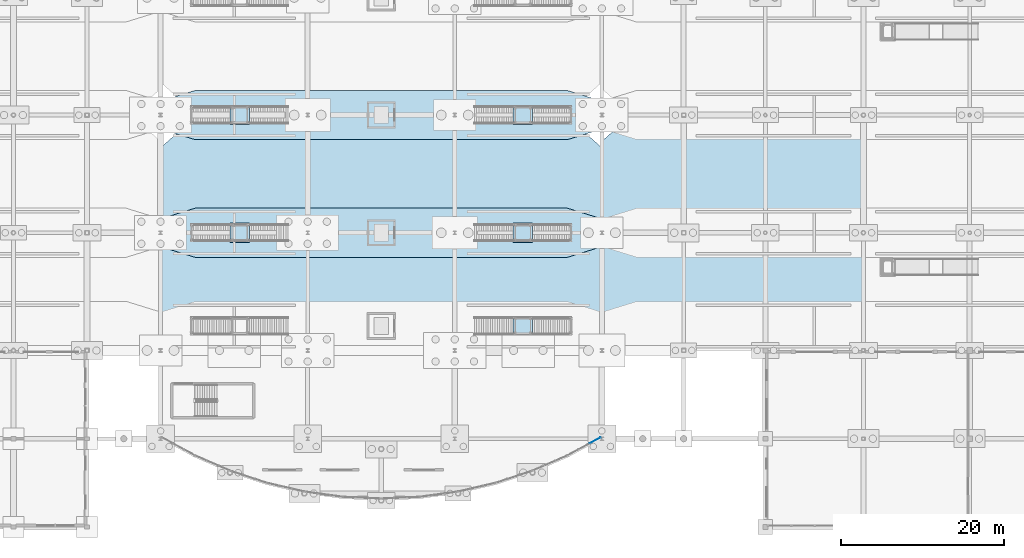
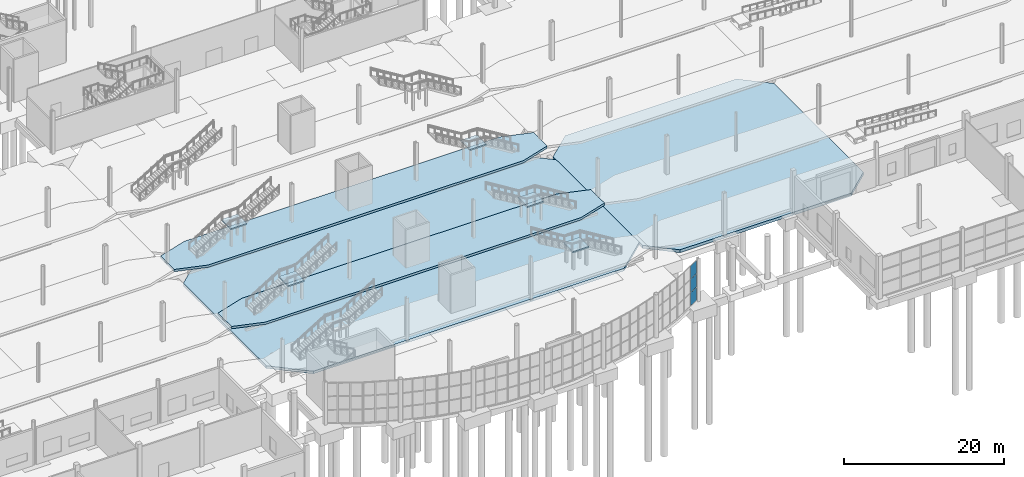
# One storey, part 78 of 115: 9 slabs, 3 plates, 6 elements without a shape of their own.
"""IFC4 building model written with IfcOpenShell, lengths in metres."""

from ifc_helpers import new_model, si_unit, direction, frame, origin, origin_2d, place, context, subcontext, project, spatial, polyline, rectangle, outline, extrude, material, layer, layer_set, type_object, element, aggregate, save


model = new_model("IFC4")

# Units and contexts
model_context = context("Model", 3, precision=1e-05, world=origin(), true_north=direction((0.0, 1.0)))
body_context = subcontext(model_context, "Body", "Model", "MODEL_VIEW")
ifc_project = project(units=[si_unit("LENGTHUNIT", "METRE"), si_unit("AREAUNIT", "SQUARE_METRE"), si_unit("VOLUMEUNIT", "CUBIC_METRE"), si_unit("PLANEANGLEUNIT", "RADIAN"), si_unit("MASSUNIT", "GRAM", prefix="KILO")], contexts=[model_context])

# Site, building, storey
site_placement = place(None, origin())
site = spatial("IfcSite", under=ifc_project, at=site_placement, CompositionType="ELEMENT")
building_placement = place(site_placement, origin())
building = spatial("IfcBuilding", under=site, at=building_placement, Name="Tamarisk Ironworks Central Station", CompositionType="ELEMENT")
storey_placement = place(building_placement, origin())
storey = spatial("IfcBuildingStorey", under=building, at=storey_placement, Name="L00", CompositionType="ELEMENT", Elevation=0.0)

# Curtain wall, plates
ifc_material_1 = material(Name="Anodized aluminium alloy 6063-T6", Category="aluminium")
ifc_layer_1 = layer(ifc_material_1, 0.179931640625)
ifc_layer_set_1 = layer_set([ifc_layer_1], Name="Anodized aluminium alloy 6063-T6")
curtain_wall_type = type_object("IfcCurtainWallType", Name="CW-01", PredefinedType="USERDEFINED", material=ifc_layer_set_1)
curtain_wall_placement = place(storey_placement, origin())
curtain_wall = element("IfcCurtainWall", 1, at=curtain_wall_placement, inside=storey, type_object=curtain_wall_type, Name="SN rounded entrance hall L00 curtain wall bay 12", ObjectType="GLAZED CURTAIN WALL", PredefinedType="USERDEFINED")
ifc_material_2 = material(Name="Laminated solar-control low-E glass", Category="glass")
ifc_layer_2 = layer(ifc_material_2, 0.028076171875)
ifc_layer_set_2 = layer_set([ifc_layer_2], Name="Laminated solar-control low-E glass")
plate_type = type_object("IfcPlateType", Name="PL-CWP28", PredefinedType="CURTAIN_PANEL", material=ifc_layer_set_2)
plate_1_placement = place(storey_placement, frame((107.181396484375, 10.602783203125, 0.05908203125), z_axis=(0.0, 0.0, 1.0), x_axis=(0.877374910495, 0.47980544644, 0.0)))
plate_1 = element("IfcPlate", 2, at=plate_1_placement, type_object=plate_type, Name="CW01 panel 3.1", PredefinedType="CURTAIN_PANEL", context=body_context, shape_type="SweptSolid", body=[
    extrude(rectangle(XDim=1.484375, YDim=0.028076171875, at=origin_2d()), origin(), (0.0, 0.0, 1.0), 1.98779296875),
])
plate_2_placement = place(storey_placement, frame((107.181396484375, 10.602783203125, 2.099853515625), z_axis=(0.0, 0.0, 1.0), x_axis=(0.877374910495, 0.47980544644, 0.0)))
plate_2 = element("IfcPlate", 3, at=plate_2_placement, type_object=plate_type, Name="CW01 panel 3.2", PredefinedType="CURTAIN_PANEL", context=body_context, shape_type="SweptSolid", body=[
    extrude(rectangle(XDim=1.484375, YDim=0.028076171875, at=origin_2d()), origin(), (0.0, 0.0, 1.0), 2.0205078125),
])
plate_3_placement = place(storey_placement, frame((107.181396484375, 10.602783203125, 4.173095703125), z_axis=(0.0, 0.0, 1.0), x_axis=(0.877374910495, 0.47980544644, 0.0)))
plate_3 = element("IfcPlate", 4, at=plate_3_placement, type_object=plate_type, Name="CW01 panel 3.3", PredefinedType="CURTAIN_PANEL", context=body_context, shape_type="SweptSolid", body=[
    extrude(rectangle(XDim=1.484375, YDim=0.028076171875, at=origin_2d()), origin(), (0.0, 0.0, 1.0), 1.98779296875),
])
aggregate(curtain_wall, [plate_1, plate_2, plate_3])

# Slab
ifc_material_3 = material(Name="Concrete C40/50", Category="concrete")
ifc_layer_3 = layer(ifc_material_3, 0.449951171875)
ifc_layer_set_3 = layer_set([ifc_layer_3], Name="Concrete C40/50")
slab_type_1 = type_object("IfcSlabType", Name="SL-BS450", PredefinedType="BASESLAB", material=ifc_layer_set_3)
slab_1_placement = place(storey_placement, frame((0.0, 0.0, -0.449951171875)))
element("IfcSlab", 5, at=slab_1_placement, inside=storey, type_object=slab_type_1, Name="L00 Train Shed Structural Base Slab E1", PredefinedType="BASESLAB", context=body_context, shape_type="SweptSolid", body=[
    extrude(outline(polyline([(111.60009765625, 21.60009765625), (136.39990234375, 21.60009765625), (140.0, 24.800048828125), (140.0, 47.199951171875), (136.39990234375, 50.39990234375), (111.60009765625, 50.39990234375), (108.0, 47.199951171875), (108.0, 24.800048828125), (111.60009765625, 21.60009765625)])), origin(), (0.0, 0.0, 1.0), 0.449951171875),
])

# Stair, slab
ifc_material_4 = material(Name="Concrete C35/45", Category="concrete")
stair_type = type_object("IfcStairType", Name="ST-PLAT", PredefinedType="TWO_STRAIGHT_RUN_STAIR", material=ifc_material_4)
stair_1_placement = place(storey_placement, origin())
stair_1 = element("IfcStair", 6, at=stair_1_placement, inside=storey, type_object=stair_type, Name="Platform 1 Boarding Stair ST-P1B", PredefinedType="TWO_STRAIGHT_RUN_STAIR")
ifc_layer_4 = layer(ifc_material_4, 0.215087890625)
ifc_layer_set_4 = layer_set([ifc_layer_4], Name="Concrete C35/45")
slab_type_2 = type_object("IfcSlabType", Name="SL-LD220", PredefinedType="LANDING", material=ifc_layer_set_4)
slab_2_placement = place(storey_placement, frame((0.0, 0.0, 3.445068359375)))
slab_2 = element("IfcSlab", 7, at=slab_2_placement, type_object=slab_type_2, Name="STP1 landing 1", PredefinedType="LANDING", context=body_context, shape_type="SweptSolid", body=[
    extrude(outline(polyline([(97.139892578125, 23.419921875), (99.5, 23.419921875), (99.5, 25.780029296875), (97.139892578125, 25.780029296875), (97.139892578125, 23.419921875)])), origin(), (0.0, 0.0, 1.0), 0.21484375),
])
aggregate(stair_1, [slab_2])

stair_2_placement = place(storey_placement, origin())
stair_2 = element("IfcStair", 8, at=stair_2_placement, inside=storey, type_object=stair_type, Name="Platform 2 Boarding Stair ST-P2A", PredefinedType="TWO_STRAIGHT_RUN_STAIR")
slab_3_placement = place(storey_placement, frame((0.0, 0.0, 3.445068359375)))
slab_3 = element("IfcSlab", 9, at=slab_3_placement, type_object=slab_type_2, Name="STP1 landing 1", PredefinedType="LANDING", context=body_context, shape_type="SweptSolid", body=[
    extrude(outline(polyline([(62.5, 34.820068359375), (64.860107421875, 34.820068359375), (64.860107421875, 37.179931640625), (62.5, 37.179931640625), (62.5, 34.820068359375)])), origin(), (0.0, 0.0, 1.0), 0.21484375),
])
aggregate(stair_2, [slab_3])

stair_3_placement = place(storey_placement, origin())
stair_3 = element("IfcStair", 10, at=stair_3_placement, inside=storey, type_object=stair_type, Name="Platform 2 Boarding Stair ST-P2B", PredefinedType="TWO_STRAIGHT_RUN_STAIR")
slab_4_placement = place(storey_placement, frame((0.0, 0.0, 3.445068359375)))
slab_4 = element("IfcSlab", 11, at=slab_4_placement, type_object=slab_type_2, Name="STP1 landing 1", PredefinedType="LANDING", context=body_context, shape_type="SweptSolid", body=[
    extrude(outline(polyline([(97.139892578125, 34.820068359375), (99.5, 34.820068359375), (99.5, 37.179931640625), (97.139892578125, 37.179931640625), (97.139892578125, 34.820068359375)])), origin(), (0.0, 0.0, 1.0), 0.21484375),
])
aggregate(stair_3, [slab_4])

stair_4_placement = place(storey_placement, origin())
stair_4 = element("IfcStair", 12, at=stair_4_placement, inside=storey, type_object=stair_type, Name="Platform 3 Boarding Stair ST-P3A", PredefinedType="TWO_STRAIGHT_RUN_STAIR")
slab_5_placement = place(storey_placement, frame((0.0, 0.0, 3.445068359375)))
slab_5 = element("IfcSlab", 13, at=slab_5_placement, type_object=slab_type_2, Name="STP1 landing 1", PredefinedType="LANDING", context=body_context, shape_type="SweptSolid", body=[
    extrude(outline(polyline([(62.5, 49.219970703125), (64.860107421875, 49.219970703125), (64.860107421875, 51.580078125), (62.5, 51.580078125), (62.5, 49.219970703125)])), origin(), (0.0, 0.0, 1.0), 0.21484375),
])
aggregate(stair_4, [slab_5])

stair_5_placement = place(storey_placement, origin())
stair_5 = element("IfcStair", 14, at=stair_5_placement, inside=storey, type_object=stair_type, Name="Platform 3 Boarding Stair ST-P3B", PredefinedType="TWO_STRAIGHT_RUN_STAIR")
slab_6_placement = place(storey_placement, frame((0.0, 0.0, 3.445068359375)))
slab_6 = element("IfcSlab", 15, at=slab_6_placement, type_object=slab_type_2, Name="STP1 landing 1", PredefinedType="LANDING", context=body_context, shape_type="SweptSolid", body=[
    extrude(outline(polyline([(97.139892578125, 49.219970703125), (99.5, 49.219970703125), (99.5, 51.580078125), (97.139892578125, 51.580078125), (97.139892578125, 49.219970703125)])), origin(), (0.0, 0.0, 1.0), 0.21484375),
])
aggregate(stair_5, [slab_6])

# Slabs
ifc_material_5 = material(Name="Precast concrete C45/55", Category="concrete")
ifc_layer_5 = layer(ifc_material_5, 0.35009765625)
ifc_layer_set_5 = layer_set([ifc_layer_5], Name="Precast concrete C45/55")
slab_type_3 = type_object("IfcSlabType", Name="SL-PL350", PredefinedType="FLOOR", material=ifc_layer_set_5)
slab_7_placement = place(storey_placement, frame((0.0, 0.0, 0.3701171875)))
element("IfcSlab", 16, at=slab_7_placement, inside=storey, type_object=slab_type_3, Name="L00 Platform 2 Raised Boarding Deck M", PredefinedType="FLOOR", context=body_context, shape_type="SweptSolid", body=[
    extrude(outline(polyline([(58.199951171875, 33.0), (103.800048828125, 33.0), (108.0, 34.300048828125), (108.0, 37.699951171875), (103.800048828125, 39.0), (58.199951171875, 39.0), (54.0, 37.699951171875), (54.0, 34.300048828125), (58.199951171875, 33.0)])), origin(), (0.0, 0.0, 1.0), 0.349853515625),
])
slab_8_placement = place(storey_placement, frame((0.0, 0.0, 0.3701171875)))
element("IfcSlab", 17, at=slab_8_placement, inside=storey, type_object=slab_type_3, Name="L00 Platform 3 Raised Boarding Deck M", PredefinedType="FLOOR", context=body_context, shape_type="SweptSolid", body=[
    extrude(outline(polyline([(58.199951171875, 47.39990234375), (103.800048828125, 47.39990234375), (108.0, 48.699951171875), (108.0, 52.10009765625), (103.800048828125, 53.39990234375), (58.199951171875, 53.39990234375), (54.0, 52.10009765625), (54.0, 48.699951171875), (58.199951171875, 47.39990234375)])), origin(), (0.0, 0.0, 1.0), 0.349853515625),
])
ifc_layer_6 = layer(ifc_material_3, 0.39990234375)
ifc_layer_set_6 = layer_set([ifc_layer_6], Name="Concrete C40/50")
slab_type_4 = type_object("IfcSlabType", Name="SL-TK400", PredefinedType="BASESLAB", material=ifc_layer_set_6)
slab_9_placement = place(storey_placement, frame((0.0, 0.0, -0.39990234375)))
element("IfcSlab", 18, at=slab_9_placement, inside=storey, type_object=slab_type_4, Name="L00 Trackway Ballast Trough Base Slab T1", PredefinedType="BASESLAB", context=body_context, shape_type="SweptSolid", body=[
    extrude(outline(polyline([(58.5, 21.60009765625), (103.5, 21.60009765625), (108.0, 25.60009765625), (108.0, 46.39990234375), (103.5, 50.39990234375), (58.5, 50.39990234375), (54.0, 46.39990234375), (54.0, 25.60009765625), (58.5, 21.60009765625)])), origin(), (0.0, 0.0, 1.0), 0.39990234375),
])

save(model, "model.ifc")
